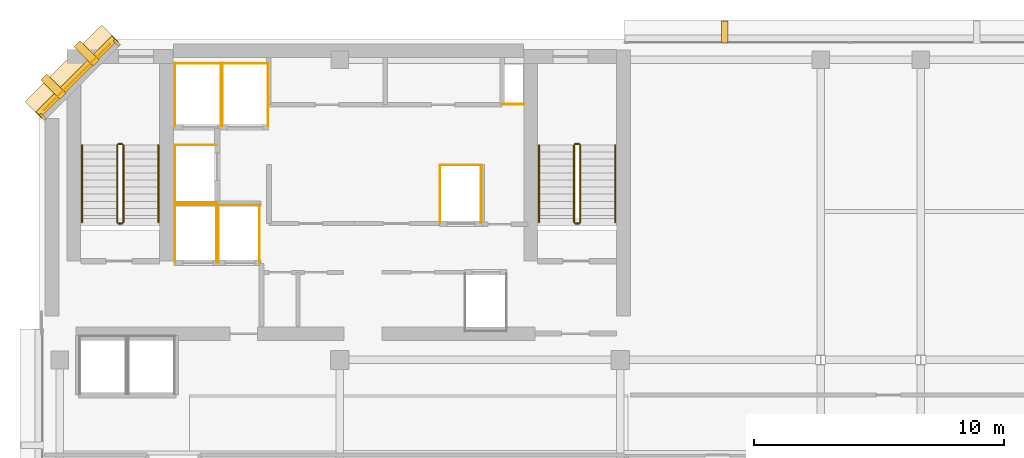
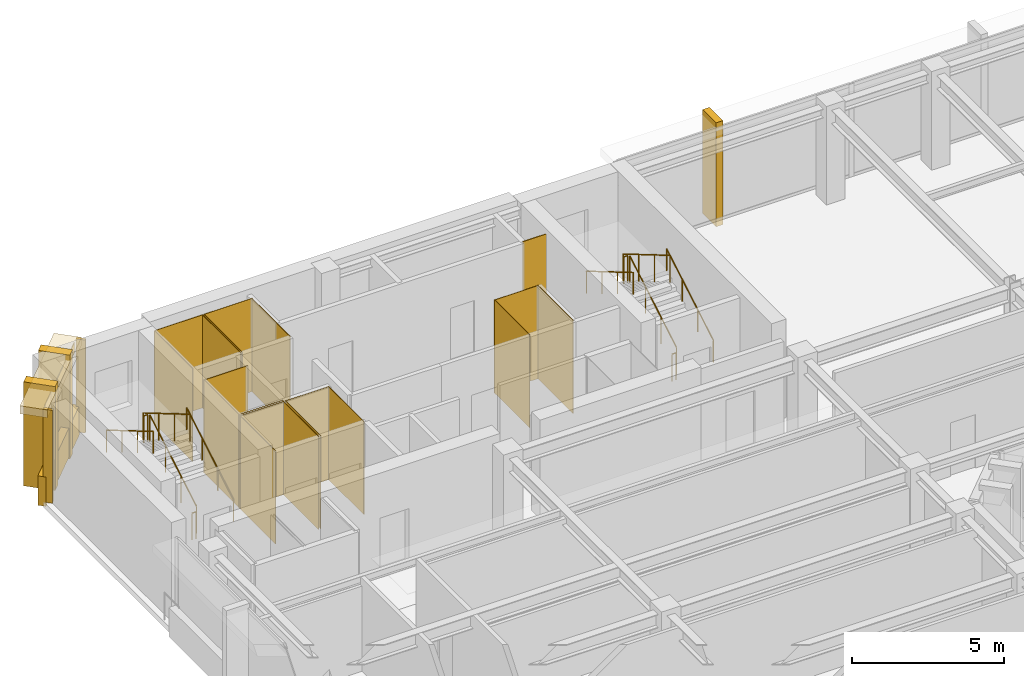
# One storey, part 10 of 11: 27 coverings, 12 railings.
"""IFC4 building model written with IfcOpenShell, lengths in metres."""

from ifc_helpers import new_model, si_unit, direction, frame, origin, origin_2d, place, context, subcontext, project, spatial, polyline, rectangle, circle, outline, extrude, material, layer, layer_set, type_object, element, save


model = new_model("IFC4")

# Units and contexts
model_context = context("Model", 3, precision=1e-05, world=origin(), true_north=direction((0.0, 1.0)))
body_context = subcontext(model_context, "Body", "Model", "MODEL_VIEW")
ifc_project = project(units=[si_unit("LENGTHUNIT", "METRE"), si_unit("AREAUNIT", "SQUARE_METRE"), si_unit("VOLUMEUNIT", "CUBIC_METRE"), si_unit("PLANEANGLEUNIT", "RADIAN"), si_unit("MASSUNIT", "GRAM", prefix="KILO")], contexts=[model_context])

# Site, building, storey
site_placement = place(None, origin())
site = spatial("IfcSite", under=ifc_project, at=site_placement, CompositionType="ELEMENT")
building_placement = place(site_placement, origin())
building = spatial("IfcBuilding", under=site, at=building_placement, Name="Kefirva Bronze Tower", CompositionType="ELEMENT")
storey_placement = place(building_placement, frame((0.0, 0.0, 331.64990234375)))
storey = spatial("IfcBuildingStorey", under=building, at=storey_placement, Name="L81", CompositionType="ELEMENT", Elevation=331.64990234375)

# Coverings
ifc_material_1 = material(Name="Bronze anodised aluminium", Category="aluminium")
ifc_layer_1 = layer(ifc_material_1, 0.02001953125, Name="Bronze anodised aluminium")
ifc_layer_set_1 = layer_set([ifc_layer_1], Name="Bronze anodised aluminium")
covering_type_1 = type_object("IfcCoveringType", Name="Anodised Bronze Spandrel Cladding 20mm", PredefinedType="CLADDING", material=ifc_layer_set_1)
covering_1_placement = place(storey_placement, frame((1.492919921875, 44.507080078125, 3.320068359375), z_axis=(0.0, 0.0, 1.0), x_axis=(-0.707106781187, -0.707106781187, 0.0)))
element("IfcCovering", 1, at=covering_1_placement, inside=storey, type_object=covering_type_1, Name="L81 Bronze Spandrel Cladding 6", PredefinedType="CLADDING", context=body_context, shape_type="SweptSolid", body=[
    extrude(rectangle(XDim=3.719482421875, YDim=0.02001953125, at=origin_2d()), origin(), (0.0, 0.0, 1.0), 0.39990234375),
])
for number, where, z_axis, x_axis, name in (
    (2, (3.08837890625, 45.862060546875, 0.0), (0.0, 0.0, 1.0), (-0.707106781187, -0.707106781187, 0.0), "L81 Facade Joint Closure Panel 6S"),
    (3, (0.137939453125, 42.91162109375, 0.0), (0.0, 0.0, 1.0), (-0.707106781187, -0.707106781187, 0.0), "L81 Facade Joint Closure Panel 6E"),
):
    element("IfcCovering", number, at=place(storey_placement, frame(where, z_axis=z_axis, x_axis=x_axis)), inside=storey, type_object=covering_type_1, Name=name, PredefinedType="CLADDING", context=body_context, shape_type="SweptSolid", body=[
        extrude(rectangle(XDim=0.10009765625, YDim=0.320068359375, at=origin_2d()), origin(), (0.0, 0.0, 1.0), 3.739990234375),
    ])
covering_2_placement = place(storey_placement, frame((1.4716796875, 44.5283203125, -0.15966796875), z_axis=(0.0, 0.0, 1.0), x_axis=(-0.707106781187, -0.707106781187, 0.0)))
element("IfcCovering", 4, at=covering_2_placement, inside=storey, type_object=covering_type_1, Name="L81 Streamline Horizontal Spandrel Band 9", PredefinedType="CLADDING", context=body_context, shape_type="SweptSolid", body=[
    extrude(rectangle(XDim=4.28271484375, YDim=0.280029296875, at=origin_2d()), origin(), (0.0, 0.0, 1.0), 1.179931640625),
])
covering_3_placement = place(storey_placement, origin())
element("IfcCovering", 5, at=covering_3_placement, inside=storey, type_object=covering_type_1, Name="L81 Lift FF1 Hoistway Liner N", PredefinedType="CLADDING", context=body_context, shape_type="SweptSolid", body=[
    extrude(outline(polyline([(5.39990234375, 39.389892578125), (7.080078125, 39.389892578125), (7.080078125, 39.409912109375), (5.39990234375, 39.409912109375), (5.39990234375, 39.389892578125)])), origin(), (0.0, 0.0, 1.0), 3.739990234375),
])
covering_4_placement = place(storey_placement, origin())
element("IfcCovering", 6, at=covering_4_placement, inside=storey, type_object=covering_type_1, Name="L81 Lift FF1 Hoistway Liner W", PredefinedType="CLADDING", context=body_context, shape_type="SweptSolid", body=[
    extrude(outline(polyline([(5.409912109375, 37.080078125), (5.429931640625, 37.080078125), (5.429931640625, 39.419921875), (5.409912109375, 39.419921875), (5.409912109375, 37.080078125)])), origin(), (0.0, 0.0, 1.0), 3.739990234375),
])
covering_5_placement = place(storey_placement, origin())
element("IfcCovering", 7, at=covering_5_placement, inside=storey, type_object=covering_type_1, Name="L81 Lift FF1 Hoistway Liner E", PredefinedType="CLADDING", context=body_context, shape_type="SweptSolid", body=[
    extrude(outline(polyline([(7.050048828125, 37.080078125), (7.070068359375, 37.080078125), (7.070068359375, 39.419921875), (7.050048828125, 39.419921875), (7.050048828125, 37.080078125)])), origin(), (0.0, 0.0, 1.0), 3.739990234375),
])
covering_6_placement = place(storey_placement, origin())
element("IfcCovering", 8, at=covering_6_placement, inside=storey, type_object=covering_type_1, Name="L81 Lift FF2 Hoistway Liner N", PredefinedType="CLADDING", context=body_context, shape_type="SweptSolid", body=[
    extrude(outline(polyline([(7.1201171875, 39.389892578125), (8.800048828125, 39.389892578125), (8.800048828125, 39.409912109375), (7.1201171875, 39.409912109375), (7.1201171875, 39.389892578125)])), origin(), (0.0, 0.0, 1.0), 3.739990234375),
])
covering_7_placement = place(storey_placement, origin())
element("IfcCovering", 9, at=covering_7_placement, inside=storey, type_object=covering_type_1, Name="L81 Lift FF2 Hoistway Liner W", PredefinedType="CLADDING", context=body_context, shape_type="SweptSolid", body=[
    extrude(outline(polyline([(7.1298828125, 37.080078125), (7.14990234375, 37.080078125), (7.14990234375, 39.419921875), (7.1298828125, 39.419921875), (7.1298828125, 37.080078125)])), origin(), (0.0, 0.0, 1.0), 3.739990234375),
])
covering_8_placement = place(storey_placement, origin())
element("IfcCovering", 10, at=covering_8_placement, inside=storey, type_object=covering_type_1, Name="L81 Lift FF2 Hoistway Liner E", PredefinedType="CLADDING", context=body_context, shape_type="SweptSolid", body=[
    extrude(outline(polyline([(8.77001953125, 37.080078125), (8.7900390625, 37.080078125), (8.7900390625, 39.419921875), (8.77001953125, 39.419921875), (8.77001953125, 37.080078125)])), origin(), (0.0, 0.0, 1.0), 3.739990234375),
])
covering_9_placement = place(storey_placement, origin())
element("IfcCovering", 11, at=covering_9_placement, inside=storey, type_object=covering_type_1, Name="L81 Lift SV1 Hoistway Liner N", PredefinedType="CLADDING", context=body_context, shape_type="SweptSolid", body=[
    extrude(outline(polyline([(5.39990234375, 45.0400390625), (7.260009765625, 45.0400390625), (7.260009765625, 45.06005859375), (5.39990234375, 45.06005859375), (5.39990234375, 45.0400390625)])), origin(), (0.0, 0.0, 1.0), 3.739990234375),
])
covering_10_placement = place(storey_placement, origin())
element("IfcCovering", 12, at=covering_10_placement, inside=storey, type_object=covering_type_1, Name="L81 Lift SV1 Hoistway Liner W", PredefinedType="CLADDING", context=body_context, shape_type="SweptSolid", body=[
    extrude(outline(polyline([(5.409912109375, 42.530029296875), (5.429931640625, 42.530029296875), (5.429931640625, 45.070068359375), (5.409912109375, 45.070068359375), (5.409912109375, 42.530029296875)])), origin(), (0.0, 0.0, 1.0), 3.739990234375),
])
covering_11_placement = place(storey_placement, origin())
element("IfcCovering", 13, at=covering_11_placement, inside=storey, type_object=covering_type_1, Name="L81 Lift SV1 Hoistway Liner E", PredefinedType="CLADDING", context=body_context, shape_type="SweptSolid", body=[
    extrude(outline(polyline([(7.22998046875, 42.530029296875), (7.25, 42.530029296875), (7.25, 45.070068359375), (7.22998046875, 45.070068359375), (7.22998046875, 42.530029296875)])), origin(), (0.0, 0.0, 1.0), 3.739990234375),
])
covering_12_placement = place(storey_placement, origin())
element("IfcCovering", 14, at=covering_12_placement, inside=storey, type_object=covering_type_1, Name="L81 Lift SV2 Hoistway Liner N", PredefinedType="CLADDING", context=body_context, shape_type="SweptSolid", body=[
    extrude(outline(polyline([(7.280029296875, 45.0400390625), (9.139892578125, 45.0400390625), (9.139892578125, 45.06005859375), (7.280029296875, 45.06005859375), (7.280029296875, 45.0400390625)])), origin(), (0.0, 0.0, 1.0), 3.739990234375),
])
covering_13_placement = place(storey_placement, origin())
element("IfcCovering", 15, at=covering_13_placement, inside=storey, type_object=covering_type_1, Name="L81 Lift SV2 Hoistway Liner W", PredefinedType="CLADDING", context=body_context, shape_type="SweptSolid", body=[
    extrude(outline(polyline([(7.2900390625, 42.530029296875), (7.31005859375, 42.530029296875), (7.31005859375, 45.070068359375), (7.2900390625, 45.070068359375), (7.2900390625, 42.530029296875)])), origin(), (0.0, 0.0, 1.0), 3.739990234375),
])
covering_14_placement = place(storey_placement, origin())
element("IfcCovering", 16, at=covering_14_placement, inside=storey, type_object=covering_type_1, Name="L81 Lift SV2 Hoistway Liner E", PredefinedType="CLADDING", context=body_context, shape_type="SweptSolid", body=[
    extrude(outline(polyline([(9.110107421875, 42.530029296875), (9.1298828125, 42.530029296875), (9.1298828125, 45.070068359375), (9.110107421875, 45.070068359375), (9.110107421875, 42.530029296875)])), origin(), (0.0, 0.0, 1.0), 3.739990234375),
])
covering_15_placement = place(storey_placement, origin())
element("IfcCovering", 17, at=covering_15_placement, inside=storey, type_object=covering_type_1, Name="L81 Lift HP2 Hoistway Liner N", PredefinedType="CLADDING", context=body_context, shape_type="SweptSolid", body=[
    extrude(outline(polyline([(15.97998046875, 40.969970703125), (17.669921875, 40.969970703125), (17.669921875, 40.989990234375), (15.97998046875, 40.989990234375), (15.97998046875, 40.969970703125)])), origin(), (0.0, 0.0, 1.0), 3.739990234375),
])
covering_16_placement = place(storey_placement, origin())
element("IfcCovering", 18, at=covering_16_placement, inside=storey, type_object=covering_type_1, Name="L81 Lift HP2 Hoistway Liner W", PredefinedType="CLADDING", context=body_context, shape_type="SweptSolid", body=[
    extrude(outline(polyline([(15.989990234375, 38.659912109375), (16.010009765625, 38.659912109375), (16.010009765625, 41.0), (15.989990234375, 41.0), (15.989990234375, 38.659912109375)])), origin(), (0.0, 0.0, 1.0), 3.739990234375),
])
covering_17_placement = place(storey_placement, origin())
element("IfcCovering", 19, at=covering_17_placement, inside=storey, type_object=covering_type_1, Name="L81 Lift HP2 Hoistway Liner E", PredefinedType="CLADDING", context=body_context, shape_type="SweptSolid", body=[
    extrude(outline(polyline([(17.639892578125, 38.659912109375), (17.659912109375, 38.659912109375), (17.659912109375, 41.0), (17.639892578125, 41.0), (17.639892578125, 38.659912109375)])), origin(), (0.0, 0.0, 1.0), 3.739990234375),
])
covering_18_placement = place(storey_placement, origin())
element("IfcCovering", 20, at=covering_18_placement, inside=storey, type_object=covering_type_1, Name="L81 Lift HP3 Hoistway Liner N", PredefinedType="CLADDING", context=body_context, shape_type="SweptSolid", body=[
    extrude(outline(polyline([(5.39990234375, 41.77001953125), (7.080078125, 41.77001953125), (7.080078125, 41.7900390625), (5.39990234375, 41.7900390625), (5.39990234375, 41.77001953125)])), origin(), (0.0, 0.0, 1.0), 3.739990234375),
])
covering_19_placement = place(storey_placement, origin())
element("IfcCovering", 21, at=covering_19_placement, inside=storey, type_object=covering_type_1, Name="L81 Lift HP3 Hoistway Liner S", PredefinedType="CLADDING", context=body_context, shape_type="SweptSolid", body=[
    extrude(outline(polyline([(5.39990234375, 39.469970703125), (7.080078125, 39.469970703125), (7.080078125, 39.489990234375), (5.39990234375, 39.489990234375), (5.39990234375, 39.469970703125)])), origin(), (0.0, 0.0, 1.0), 3.739990234375),
])
covering_20_placement = place(storey_placement, origin())
element("IfcCovering", 22, at=covering_20_placement, inside=storey, type_object=covering_type_1, Name="L81 Lift HP3 Hoistway Liner W", PredefinedType="CLADDING", context=body_context, shape_type="SweptSolid", body=[
    extrude(outline(polyline([(5.409912109375, 39.4599609375), (5.429931640625, 39.4599609375), (5.429931640625, 41.800048828125), (5.409912109375, 41.800048828125), (5.409912109375, 39.4599609375)])), origin(), (0.0, 0.0, 1.0), 3.739990234375),
])
covering_21_placement = place(storey_placement, origin())
element("IfcCovering", 23, at=covering_21_placement, inside=storey, type_object=covering_type_1, Name="L81 Core MEP Riser Shaft Liner South", PredefinedType="CLADDING", context=body_context, shape_type="SweptSolid", body=[
    extrude(outline(polyline([(18.47998046875, 43.39990234375), (19.360107421875, 43.39990234375), (19.360107421875, 43.429931640625), (18.47998046875, 43.429931640625), (18.47998046875, 43.39990234375)])), origin(), (0.0, 0.0, 1.0), 3.739990234375),
])

# Railings
ifc_material_2 = material(Name="Stainless steel 316", Category="steel")
railing_type_1 = type_object("IfcRailingType", Name="Interior Stair Guardrail 1100mm", PredefinedType="GUARDRAIL", material=ifc_material_2)
railing_1_placement = place(storey_placement, frame((3.35009765625, 38.699951171875, 0.1650390625)))
element("IfcRailing", 24, at=railing_1_placement, inside=storey, type_object=railing_type_1, Name="L81 ST-1 stair guard 1", PredefinedType="GUARDRAIL", context=body_context, shape_type="SweptSolid", body=[
    extrude(circle(Radius=0.02392578125, at=origin_2d()), frame((0.0, 0.0, 1.076171875), z_axis=(0.0, 0.861551262678, 0.507670583921), x_axis=(-1.0, 0.0, 0.0)), (0.0, 0.0, 1.0), 3.574951171875),
    extrude(circle(Radius=0.02099609375, at=origin_2d()), origin(), (0.0, 0.0, 1.0), 1.052001953125),
    extrude(circle(Radius=0.02099609375, at=origin_2d()), frame((0.0, 1.026611328125, 0.60498046875)), (0.0, 0.0, 1.0), 1.052001953125),
    extrude(circle(Radius=0.02099609375, at=origin_2d()), frame((0.0, 2.053466796875, 1.2099609375)), (0.0, 0.0, 1.0), 1.052001953125),
    extrude(circle(Radius=0.02099609375, at=origin_2d()), frame((0.0, 3.080078125, 1.81494140625)), (0.0, 0.0, 1.0), 1.052001953125),
])
railing_2_placement = place(storey_placement, frame((3.300048828125, 41.830078125, 1.97998046875)))
element("IfcRailing", 25, at=railing_2_placement, inside=storey, type_object=railing_type_1, Name="L81 ST-1 stair guard 2", PredefinedType="GUARDRAIL", context=body_context, shape_type="SweptSolid", body=[
    extrude(circle(Radius=0.02392578125, at=origin_2d()), frame((0.0, 0.0, 1.076171875), z_axis=(-1.0, 0.0, 0.0), x_axis=(0.0, -1.0, 0.0)), (0.0, 0.0, 1.0), 0.150146484375),
    extrude(circle(Radius=0.02099609375, at=origin_2d()), origin(), (0.0, 0.0, 1.0), 1.052001953125),
    extrude(circle(Radius=0.02099609375, at=origin_2d()), frame((-0.150146484375, 0.0, 0.0)), (0.0, 0.0, 1.0), 1.052001953125),
])
railing_3_placement = place(storey_placement, frame((3.10009765625, 41.780029296875, 2.14501953125)))
element("IfcRailing", 26, at=railing_3_placement, inside=storey, type_object=railing_type_1, Name="L81 ST-1 stair guard 3", PredefinedType="GUARDRAIL", context=body_context, shape_type="SweptSolid", body=[
    extrude(circle(Radius=0.02392578125, at=origin_2d()), frame((0.0, 0.0, 1.076171875), z_axis=(0.0, -0.861521393093, 0.507721271215), x_axis=(1.0, 0.0, 0.0)), (0.0, 0.0, 1.0), 3.5751953125),
    extrude(circle(Radius=0.02099609375, at=origin_2d()), origin(), (0.0, 0.0, 1.0), 1.052001953125),
    extrude(circle(Radius=0.02099609375, at=origin_2d()), frame((0.0, -1.026611328125, 0.60498046875)), (0.0, 0.0, 1.0), 1.052001953125),
    extrude(circle(Radius=0.02099609375, at=origin_2d()), frame((0.0, -2.053466796875, 1.210205078125)), (0.0, 0.0, 1.0), 1.052001953125),
    extrude(circle(Radius=0.02099609375, at=origin_2d()), frame((0.0, -3.080078125, 1.815185546875)), (0.0, 0.0, 1.0), 1.052001953125),
])
railing_4_placement = place(storey_placement, frame((3.300048828125, 38.64990234375, 0.0)))
element("IfcRailing", 27, at=railing_4_placement, inside=storey, type_object=railing_type_1, Name="L81 ST-1 stair guard 4", PredefinedType="GUARDRAIL", context=body_context, shape_type="SweptSolid", body=[
    extrude(circle(Radius=0.02392578125, at=origin_2d()), frame((0.0, 0.0, 1.076171875), z_axis=(-1.0, 0.0, 0.0), x_axis=(0.0, -1.0, 0.0)), (0.0, 0.0, 1.0), 0.150146484375),
    extrude(circle(Radius=0.02099609375, at=origin_2d()), origin(), (0.0, 0.0, 1.0), 1.052001953125),
    extrude(circle(Radius=0.02099609375, at=origin_2d()), frame((-0.150146484375, 0.0, 0.0)), (0.0, 0.0, 1.0), 1.052001953125),
])
railing_5_placement = place(storey_placement, frame((21.60009765625, 38.699951171875, 0.1650390625)))
element("IfcRailing", 28, at=railing_5_placement, inside=storey, type_object=railing_type_1, Name="L81 ST-2 stair guard 1", PredefinedType="GUARDRAIL", context=body_context, shape_type="SweptSolid", body=[
    extrude(circle(Radius=0.02392578125, at=origin_2d()), frame((0.0, 0.0, 1.076171875), z_axis=(0.0, 0.861551262678, 0.507670583921), x_axis=(-1.0, 0.0, 0.0)), (0.0, 0.0, 1.0), 3.574951171875),
    extrude(circle(Radius=0.02099609375, at=origin_2d()), origin(), (0.0, 0.0, 1.0), 1.052001953125),
    extrude(circle(Radius=0.02099609375, at=origin_2d()), frame((0.0, 1.026611328125, 0.60498046875)), (0.0, 0.0, 1.0), 1.052001953125),
    extrude(circle(Radius=0.02099609375, at=origin_2d()), frame((0.0, 2.053466796875, 1.2099609375)), (0.0, 0.0, 1.0), 1.052001953125),
    extrude(circle(Radius=0.02099609375, at=origin_2d()), frame((0.0, 3.080078125, 1.81494140625)), (0.0, 0.0, 1.0), 1.052001953125),
])
railing_6_placement = place(storey_placement, frame((21.550048828125, 41.830078125, 1.97998046875)))
element("IfcRailing", 29, at=railing_6_placement, inside=storey, type_object=railing_type_1, Name="L81 ST-2 stair guard 2", PredefinedType="GUARDRAIL", context=body_context, shape_type="SweptSolid", body=[
    extrude(circle(Radius=0.02392578125, at=origin_2d()), frame((0.0, 0.0, 1.076171875), z_axis=(-1.0, 0.0, 0.0), x_axis=(0.0, -1.0, 0.0)), (0.0, 0.0, 1.0), 0.150146484375),
    extrude(circle(Radius=0.02099609375, at=origin_2d()), origin(), (0.0, 0.0, 1.0), 1.052001953125),
    extrude(circle(Radius=0.02099609375, at=origin_2d()), frame((-0.150146484375, 0.0, 0.0)), (0.0, 0.0, 1.0), 1.052001953125),
])
railing_7_placement = place(storey_placement, frame((21.35009765625, 41.780029296875, 2.14501953125)))
element("IfcRailing", 30, at=railing_7_placement, inside=storey, type_object=railing_type_1, Name="L81 ST-2 stair guard 3", PredefinedType="GUARDRAIL", context=body_context, shape_type="SweptSolid", body=[
    extrude(circle(Radius=0.02392578125, at=origin_2d()), frame((0.0, 0.0, 1.076171875), z_axis=(0.0, -0.861521393093, 0.507721271215), x_axis=(1.0, 0.0, 0.0)), (0.0, 0.0, 1.0), 3.5751953125),
    extrude(circle(Radius=0.02099609375, at=origin_2d()), origin(), (0.0, 0.0, 1.0), 1.052001953125),
    extrude(circle(Radius=0.02099609375, at=origin_2d()), frame((0.0, -1.026611328125, 0.60498046875)), (0.0, 0.0, 1.0), 1.052001953125),
    extrude(circle(Radius=0.02099609375, at=origin_2d()), frame((0.0, -2.053466796875, 1.210205078125)), (0.0, 0.0, 1.0), 1.052001953125),
    extrude(circle(Radius=0.02099609375, at=origin_2d()), frame((0.0, -3.080078125, 1.815185546875)), (0.0, 0.0, 1.0), 1.052001953125),
])
railing_8_placement = place(storey_placement, frame((21.550048828125, 38.64990234375, 0.0)))
element("IfcRailing", 31, at=railing_8_placement, inside=storey, type_object=railing_type_1, Name="L81 ST-2 stair guard 4", PredefinedType="GUARDRAIL", context=body_context, shape_type="SweptSolid", body=[
    extrude(circle(Radius=0.02392578125, at=origin_2d()), frame((0.0, 0.0, 1.076171875), z_axis=(-1.0, 0.0, 0.0), x_axis=(0.0, -1.0, 0.0)), (0.0, 0.0, 1.0), 0.150146484375),
    extrude(circle(Radius=0.02099609375, at=origin_2d()), origin(), (0.0, 0.0, 1.0), 1.052001953125),
    extrude(circle(Radius=0.02099609375, at=origin_2d()), frame((-0.150146484375, 0.0, 0.0)), (0.0, 0.0, 1.0), 1.052001953125),
])
railing_type_2 = type_object("IfcRailingType", Name="Stair Pitch Handrail 900mm", PredefinedType="HANDRAIL", material=ifc_material_2)
railing_9_placement = place(storey_placement, frame((4.75, 38.699951171875, 0.1650390625)))
element("IfcRailing", 32, at=railing_9_placement, inside=storey, type_object=railing_type_2, Name="L81 ST-1 stair handrail 1", PredefinedType="HANDRAIL", context=body_context, shape_type="SweptSolid", body=[
    extrude(circle(Radius=0.02392578125, at=origin_2d()), frame((0.0, 0.0, 0.8759765625), z_axis=(0.0, 0.861551262678, 0.507670583921), x_axis=(-1.0, 0.0, 0.0)), (0.0, 0.0, 1.0), 3.574951171875),
    extrude(circle(Radius=0.02099609375, at=origin_2d()), origin(), (0.0, 0.0, 1.0), 0.851806640625),
    extrude(circle(Radius=0.02099609375, at=origin_2d()), frame((0.0, 1.026611328125, 0.60498046875)), (0.0, 0.0, 1.0), 0.851806640625),
    extrude(circle(Radius=0.02099609375, at=origin_2d()), frame((0.0, 2.053466796875, 1.2099609375)), (0.0, 0.0, 1.0), 0.851806640625),
    extrude(circle(Radius=0.02099609375, at=origin_2d()), frame((0.0, 3.080078125, 1.81494140625)), (0.0, 0.0, 1.0), 0.851806640625),
])
railing_10_placement = place(storey_placement, frame((1.699951171875, 41.780029296875, 2.14501953125)))
element("IfcRailing", 33, at=railing_10_placement, inside=storey, type_object=railing_type_2, Name="L81 ST-1 stair handrail 2", PredefinedType="HANDRAIL", context=body_context, shape_type="SweptSolid", body=[
    extrude(circle(Radius=0.02392578125, at=origin_2d()), frame((0.0, 0.0, 0.8759765625), z_axis=(0.0, -0.861521393093, 0.507721271215), x_axis=(1.0, 0.0, 0.0)), (0.0, 0.0, 1.0), 3.5751953125),
    extrude(circle(Radius=0.02099609375, at=origin_2d()), origin(), (0.0, 0.0, 1.0), 0.851806640625),
    extrude(circle(Radius=0.02099609375, at=origin_2d()), frame((0.0, -1.026611328125, 0.60498046875)), (0.0, 0.0, 1.0), 0.851806640625),
    extrude(circle(Radius=0.02099609375, at=origin_2d()), frame((0.0, -2.053466796875, 1.210205078125)), (0.0, 0.0, 1.0), 0.851806640625),
    extrude(circle(Radius=0.02099609375, at=origin_2d()), frame((0.0, -3.080078125, 1.815185546875)), (0.0, 0.0, 1.0), 0.851806640625),
])
railing_11_placement = place(storey_placement, frame((23.0, 38.699951171875, 0.1650390625)))
element("IfcRailing", 34, at=railing_11_placement, inside=storey, type_object=railing_type_2, Name="L81 ST-2 stair handrail 1", PredefinedType="HANDRAIL", context=body_context, shape_type="SweptSolid", body=[
    extrude(circle(Radius=0.02392578125, at=origin_2d()), frame((0.0, 0.0, 0.8759765625), z_axis=(0.0, 0.861551262678, 0.507670583921), x_axis=(-1.0, 0.0, 0.0)), (0.0, 0.0, 1.0), 3.574951171875),
    extrude(circle(Radius=0.02099609375, at=origin_2d()), origin(), (0.0, 0.0, 1.0), 0.851806640625),
    extrude(circle(Radius=0.02099609375, at=origin_2d()), frame((0.0, 1.026611328125, 0.60498046875)), (0.0, 0.0, 1.0), 0.851806640625),
    extrude(circle(Radius=0.02099609375, at=origin_2d()), frame((0.0, 2.053466796875, 1.2099609375)), (0.0, 0.0, 1.0), 0.851806640625),
    extrude(circle(Radius=0.02099609375, at=origin_2d()), frame((0.0, 3.080078125, 1.81494140625)), (0.0, 0.0, 1.0), 0.851806640625),
])
railing_12_placement = place(storey_placement, frame((19.949951171875, 41.780029296875, 2.14501953125)))
element("IfcRailing", 35, at=railing_12_placement, inside=storey, type_object=railing_type_2, Name="L81 ST-2 stair handrail 2", PredefinedType="HANDRAIL", context=body_context, shape_type="SweptSolid", body=[
    extrude(circle(Radius=0.02392578125, at=origin_2d()), frame((0.0, 0.0, 0.8759765625), z_axis=(0.0, -0.861521393093, 0.507721271215), x_axis=(1.0, 0.0, 0.0)), (0.0, 0.0, 1.0), 3.5751953125),
    extrude(circle(Radius=0.02099609375, at=origin_2d()), origin(), (0.0, 0.0, 1.0), 0.851806640625),
    extrude(circle(Radius=0.02099609375, at=origin_2d()), frame((0.0, -1.026611328125, 0.60498046875)), (0.0, 0.0, 1.0), 0.851806640625),
    extrude(circle(Radius=0.02099609375, at=origin_2d()), frame((0.0, -2.053466796875, 1.210205078125)), (0.0, 0.0, 1.0), 0.851806640625),
    extrude(circle(Radius=0.02099609375, at=origin_2d()), frame((0.0, -3.080078125, 1.815185546875)), (0.0, 0.0, 1.0), 0.851806640625),
])

# Coverings
ifc_layer_2 = layer(ifc_material_1, 0.179931640625, Name="Bronze anodised aluminium")
ifc_layer_set_2 = layer_set([ifc_layer_2], Name="Bronze anodised aluminium")
covering_type_2 = type_object("IfcCoveringType", Name="Streamline Bronze Sunshade Eyebrow Cladding 180mm", PredefinedType="CLADDING", material=ifc_layer_set_2)
covering_22_placement = place(storey_placement, frame((1.28076171875, 44.71923828125, 3.419921875), z_axis=(0.0, 0.0, 1.0), x_axis=(-0.707106781187, -0.707106781187, 0.0)))
element("IfcCovering", 36, at=covering_22_placement, inside=storey, type_object=covering_type_2, Name="L81 Streamline Bronze Sunshade Eyebrow 9", PredefinedType="CLADDING", context=body_context, shape_type="SweptSolid", body=[
    extrude(rectangle(XDim=4.322509765625, YDim=0.93994140625, at=origin_2d()), origin(), (0.0, 0.0, 1.0), 0.320068359375),
])
ifc_layer_3 = layer(ifc_material_1, 0.260009765625, Name="Bronze anodised aluminium")
ifc_layer_set_3 = layer_set([ifc_layer_3], Name="Bronze anodised aluminium")
covering_type_3 = type_object("IfcCoveringType", Name="Unbroken Bronze Buttress Fin Cladding 260mm", PredefinedType="CLADDING", material=ifc_layer_set_3)
covering_23_placement = place(storey_placement, frame((27.364013671875, 46.300048828125, -0.2197265625), z_axis=(0.0, 0.0, 1.0), x_axis=(-1.0, 0.0, 0.0)))
element("IfcCovering", 37, at=covering_23_placement, inside=storey, type_object=covering_type_3, Name="L81 Unbroken Vertical Bronze Rib Fin 18", PredefinedType="CLADDING", context=body_context, shape_type="SweptSolid", body=[
    extrude(rectangle(XDim=0.260009765625, YDim=0.8798828125, at=origin_2d()), origin(), (0.0, 0.0, 1.0), 4.179931640625),
])
for number, where, z_axis, x_axis, name in (
    (38, (1.877197265625, 45.44287109375, -0.2197265625), (0.0, 0.0, 1.0), (-0.707106781187, -0.707106781187, 0.0), "L81 Chamfered Corner Buttress Fin Cladding 19"),
    (39, (0.55712890625, 44.122802734375, -0.2197265625), (0.0, 0.0, 1.0), (-0.707106781187, -0.707106781187, 0.0), "L81 Chamfered Corner Buttress Fin Cladding 20"),
):
    element("IfcCovering", number, at=place(storey_placement, frame(where, z_axis=z_axis, x_axis=x_axis)), inside=storey, type_object=covering_type_3, Name=name, PredefinedType="CLADDING", context=body_context, shape_type="SweptSolid", body=[
        extrude(rectangle(XDim=0.340087890625, YDim=1.080078125, at=origin_2d()), origin(), (0.0, 0.0, 1.0), 4.179931640625),
    ])

save(model, "model.ifc")
